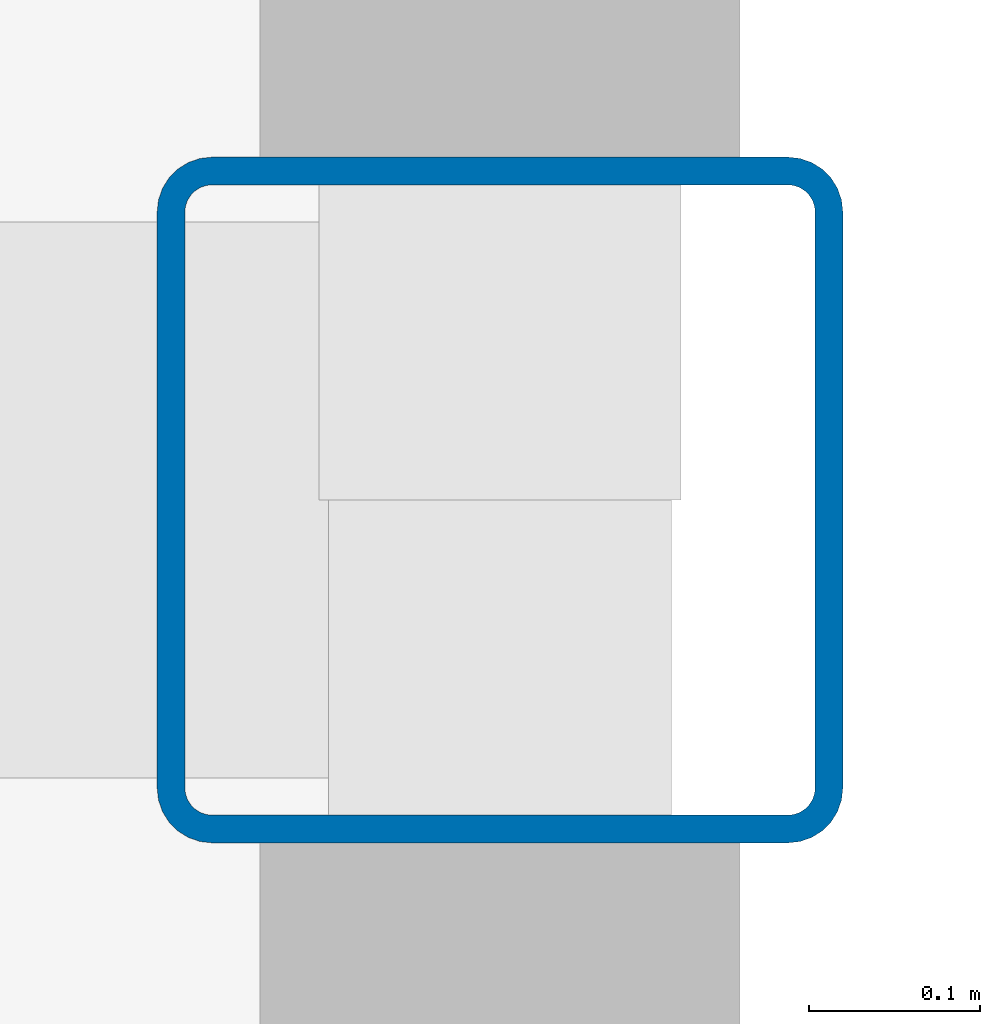
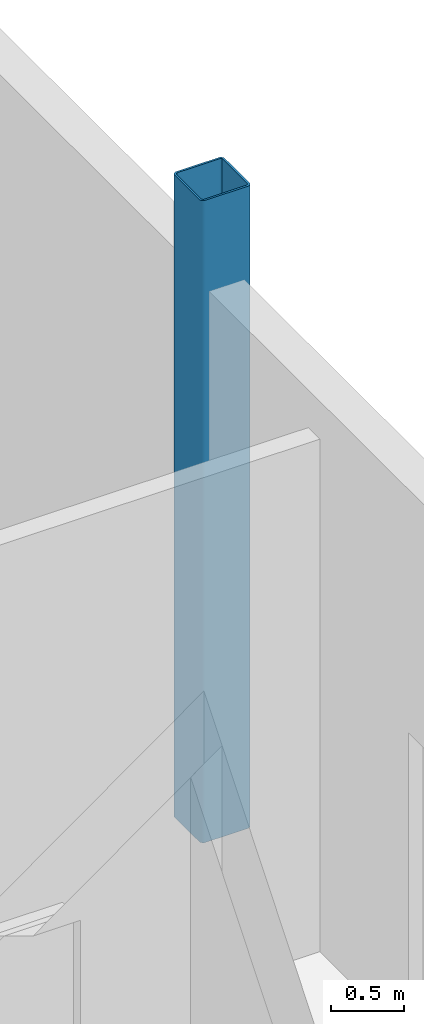
# One storey, part 18 of 94: 1 column.
"""IFC4 building model written with IfcOpenShell, lengths in metres."""

import ifcopenshell
import ifcopenshell.guid

model = None  # the IFC model being written
_history = None  # IfcOwnerHistory: only IFC2X3 demands one
_inside = {}  # id of a spatial element -> (the spatial element, [elements in it])
_under = {}  # id of a project, library or spatial element -> (it, [spatial elements below it])
_declared = {}  # id of a project -> (the project, [libraries it declares])
_typed = {}  # id of a type object -> (the type object, [elements of that type])
_made_of = {}  # id of a material, layer set ... -> (it, [elements and type objects made of it])


def new_model(schema):
    """Start an empty IFC model of exactly this schema.

    Asked for "IFC4X3", IfcOpenShell would pick the latest addendum, in which some entities
    have other attributes; the version numbers below select the first issue.
    IFC2X3 requires an IfcOwnerHistory on every rooted entity: one is made here for all.
    """
    global model, _history
    if schema == "IFC4X3":
        model = ifcopenshell.file(schema_version=(4, 3, 0, 0))
    else:
        model = ifcopenshell.file(schema=schema)
    _inside.clear()
    _under.clear()
    _declared.clear()
    _typed.clear()
    _made_of.clear()
    _history = None
    if model.schema == "IFC2X3":
        org = make("IfcOrganization", Name="unknown")
        user = make(
            "IfcPersonAndOrganization",
            ThePerson=make("IfcPerson", FamilyName="unknown"),
            TheOrganization=org,
        )
        app = make(
            "IfcApplication",
            ApplicationDeveloper=org,
            Version="unknown",
            ApplicationFullName="unknown",
            ApplicationIdentifier="unknown",
        )
        _history = make(
            "IfcOwnerHistory",
            OwningUser=user,
            OwningApplication=app,
            ChangeAction="ADDED",
            CreationDate=0,
        )
    return model


def make(cls, **values):
    """One entity of the class cls with the attributes given. An attribute that is None is left unset."""
    return model.create_entity(
        cls, **{name: value for name, value in values.items() if value is not None}
    )


def rooted(cls, **values):
    """An entity with a GlobalId (a new one), such as an element, a storey or a relation."""
    return make(cls, GlobalId=ifcopenshell.guid.new(), OwnerHistory=_history, **values)


def si_unit(unit_type, name, prefix=None):
    """IfcSIUnit, for example si_unit("LENGTHUNIT", "METRE", prefix="MILLI")."""
    return make("IfcSIUnit", UnitType=unit_type, Prefix=prefix, Name=name)


def assignment(units):
    """IfcUnitAssignment: the units of a project."""
    return None if units is None else make("IfcUnitAssignment", Units=units)


def point(xyz):
    """IfcCartesianPoint."""
    return None if xyz is None else make("IfcCartesianPoint", Coordinates=xyz)


def direction(xyz):
    """IfcDirection."""
    return None if xyz is None else make("IfcDirection", DirectionRatios=xyz)


def frame(location, z_axis=None, x_axis=None):
    """IfcAxis2Placement3D, a coordinate frame: its origin and axes. An axis left out is left unset."""
    return make(
        "IfcAxis2Placement3D",
        Location=point(location),
        Axis=direction(z_axis),
        RefDirection=direction(x_axis),
    )


def frame_2d(location, x_axis=None):
    """IfcAxis2Placement2D, a coordinate frame in the plane: its origin and x axis."""
    return make(
        "IfcAxis2Placement2D", Location=point(location), RefDirection=direction(x_axis)
    )


def origin():
    """The frame at (0, 0, 0) with its axes left unset."""
    return frame((0.0, 0.0, 0.0))


def origin_2d():
    """The frame at (0, 0) in the plane with its x axis left unset."""
    return frame_2d((0.0, 0.0))


def place(relative_to, where):
    """IfcLocalPlacement: puts the frame where relative to a parent placement (None: the world)."""
    return make(
        "IfcLocalPlacement", PlacementRelTo=relative_to, RelativePlacement=where
    )


def context(
    kind, dimensions, precision=None, world=None, true_north=None, identifier=None
):
    """IfcGeometricRepresentationContext, for example the 3D "Model" context."""
    return make(
        "IfcGeometricRepresentationContext",
        ContextIdentifier=identifier,
        ContextType=kind,
        CoordinateSpaceDimension=dimensions,
        Precision=precision,
        WorldCoordinateSystem=world,
        TrueNorth=true_north,
    )


def subcontext(parent, identifier, kind, view, scale=None):
    """IfcGeometricRepresentationSubContext, for example "Body" below "Model"."""
    return make(
        "IfcGeometricRepresentationSubContext",
        ContextIdentifier=identifier,
        ContextType=kind,
        ParentContext=parent,
        TargetScale=scale,
        TargetView=view,
    )


def project(units=None, contexts=None):
    """IfcProject with its units and contexts."""
    return rooted(
        "IfcProject",
        Name="project",
        RepresentationContexts=contexts,
        UnitsInContext=assignment(units),
    )


def spatial(cls, under=None, at=None, **own):
    """A site, building, storey or space (cls), placed at a placement, below another one or the project."""
    s = rooted(cls, ObjectPlacement=at, **own)
    if under is not None:
        _under.setdefault(under.id(), (under, []))[1].append(s)
    return s


def profile(cls, at=None, kind="AREA", **sizes):
    """A parametric profile (cls). Its sizes go by their IFC names, for example OverallWidth=200.0."""
    return make(cls, ProfileType=kind, Position=at, **sizes)


def hollow_rectangle(**sizes):
    """IfcRectangleHollowProfileDef."""
    return profile("IfcRectangleHollowProfileDef", **sizes)


def extrude(swept, where, along, depth):
    """IfcExtrudedAreaSolid: the profile swept, set in the frame where, extruded along a direction by depth."""
    return make(
        "IfcExtrudedAreaSolid",
        SweptArea=swept,
        Position=where,
        ExtrudedDirection=direction(along),
        Depth=depth,
    )


def shape(context_of_items, identifier, shape_type, items):
    """IfcShapeRepresentation: the items that make up one representation, for example the "Body"."""
    return make(
        "IfcShapeRepresentation",
        ContextOfItems=context_of_items,
        RepresentationIdentifier=identifier,
        RepresentationType=shape_type,
        Items=items,
    )


def material(Name=None, Category=None):
    """IfcMaterial."""
    return make("IfcMaterial", Name=Name, Category=Category)


def material_profile(
    of_material, cross_section, Name=None, Category=None, Priority=None
):
    """IfcMaterialProfile: a cross section and its material."""
    return make(
        "IfcMaterialProfile",
        Name=Name,
        Material=of_material,
        Profile=cross_section,
        Priority=Priority,
        Category=Category,
    )


def profile_set(profiles, Name=None, composite=None):
    """IfcMaterialProfileSet."""
    return make(
        "IfcMaterialProfileSet",
        Name=Name,
        MaterialProfiles=profiles,
        CompositeProfile=composite,
    )


def made_of(thing, what):
    """Note that an element or type object is made of a material, layer set ...; save() writes the relation."""
    if what is not None:
        _made_of.setdefault(what.id(), (what, []))[1].append(thing)
    return thing


def type_object(cls, material=None, **own):
    """A type object (cls), such as IfcWallType, which elements share."""
    return made_of(rooted(cls, **own), material)


def element(
    cls,
    number,
    at=None,
    inside=None,
    cuts=None,
    type_object=None,
    material=None,
    context=None,
    identifier="Body",
    shape_type=None,
    held_by="IfcProductDefinitionShape",
    body=None,
    shapes=None,
    **own,
):
    """One element of the class cls, such as IfcWall. Its Tag is "e" and its number.

    at: its placement. inside: the storey or other place that contains it. cuts: it is an
    opening in that element (IfcRelVoidsElement). A single representation is given by context,
    identifier, shape_type and body (its items); several are given by shapes. held_by: the class
    of the entity that holds the representations. save() writes the other relations.
    """
    e = rooted(cls, Tag="e%d" % number, ObjectPlacement=at, **own)
    if body is not None:
        shapes = [shape(context, identifier, shape_type, body)]
    if shapes is not None:
        e.Representation = make(held_by, Representations=shapes)
    if inside is not None:
        _inside.setdefault(inside.id(), (inside, []))[1].append(e)
    if cuts is not None:
        rooted(
            "IfcRelVoidsElement", RelatingBuildingElement=cuts, RelatedOpeningElement=e
        )
    if type_object is not None:
        _typed.setdefault(type_object.id(), (type_object, []))[1].append(e)
    return made_of(e, material)


def aggregate(whole, parts):
    """IfcRelAggregates: a whole, such as a stair, and the parts it consists of."""
    return rooted("IfcRelAggregates", RelatingObject=whole, RelatedObjects=parts)


def save(model, path):
    """Write the relations noted so far, then the file.

    IfcRelAggregates (storeys below a building ...), IfcRelContainedInSpatialStructure (elements
    in a storey), IfcRelDefinesByType, IfcRelAssociatesMaterial and IfcRelDeclares: one each for
    every whole, place, type object, material and project.
    """
    for whole, parts in _under.values():
        aggregate(whole, parts)
    for where, things in _inside.values():
        rooted(
            "IfcRelContainedInSpatialStructure",
            RelatedElements=things,
            RelatingStructure=where,
        )
    for kind, things in _typed.values():
        rooted("IfcRelDefinesByType", RelatedObjects=things, RelatingType=kind)
    for what, things in _made_of.values():
        rooted("IfcRelAssociatesMaterial", RelatedObjects=things, RelatingMaterial=what)
    for by, libraries in _declared.values():
        rooted("IfcRelDeclares", RelatingContext=by, RelatedDefinitions=libraries)
    model.write(path)


model = new_model("IFC4")

# Units and contexts
model_context = context("Model", 3, precision=1e-05, world=origin(), true_north=direction((0.0, 1.0)))
body_context = subcontext(model_context, "Body", "Model", "MODEL_VIEW")
ifc_project = project(units=[si_unit("LENGTHUNIT", "METRE"), si_unit("AREAUNIT", "SQUARE_METRE"), si_unit("VOLUMEUNIT", "CUBIC_METRE"), si_unit("PLANEANGLEUNIT", "RADIAN"), si_unit("MASSUNIT", "GRAM", prefix="KILO")], contexts=[model_context])

# Site, building, storey
site_placement = place(None, origin())
site = spatial("IfcSite", under=ifc_project, at=site_placement, CompositionType="ELEMENT")
building_placement = place(site_placement, origin())
building = spatial("IfcBuilding", under=site, at=building_placement, Name="Qamarlyn Nura Convention Centre", CompositionType="ELEMENT")
storey_placement = place(building_placement, origin())
storey = spatial("IfcBuildingStorey", under=building, at=storey_placement, Name="L00", CompositionType="ELEMENT", Elevation=0.0)

# Column
ifc_material = material(Name="Steel ASTM A500 Grade C", Category="steel")
ifc_material_profile = material_profile(ifc_material, hollow_rectangle(XDim=0.39990234375, YDim=0.39990234375, WallThickness=0.01611328125, InnerFilletRadius=0.01611328125, OuterFilletRadius=0.031982421875, at=origin_2d()), Name="HSS400X400X16")
ifc_profile_set = profile_set([ifc_material_profile], Name="Steel ASTM A500 Grade C")
column_type = type_object("IfcColumnType", Name="COL-HSS-1", PredefinedType="COLUMN", material=ifc_profile_set)
column_placement = place(storey_placement, frame((192.0, 54.0, 0.0), z_axis=(0.0, 0.0, 1.0), x_axis=(1.0, 0.0, 0.0)))
element("IfcColumn", 1, at=column_placement, inside=storey, type_object=column_type, Name="L00 column 18/G", PredefinedType="COLUMN", context=body_context, shape_type="SweptSolid", body=[
    extrude(hollow_rectangle(XDim=0.39990234375, YDim=0.39990234375, WallThickness=0.01611328125, InnerFilletRadius=0.01611328125, OuterFilletRadius=0.031982421875, at=origin_2d()), origin(), (0.0, 0.0, 1.0), 5.39990234375),
])

save(model, "model.ifc")
